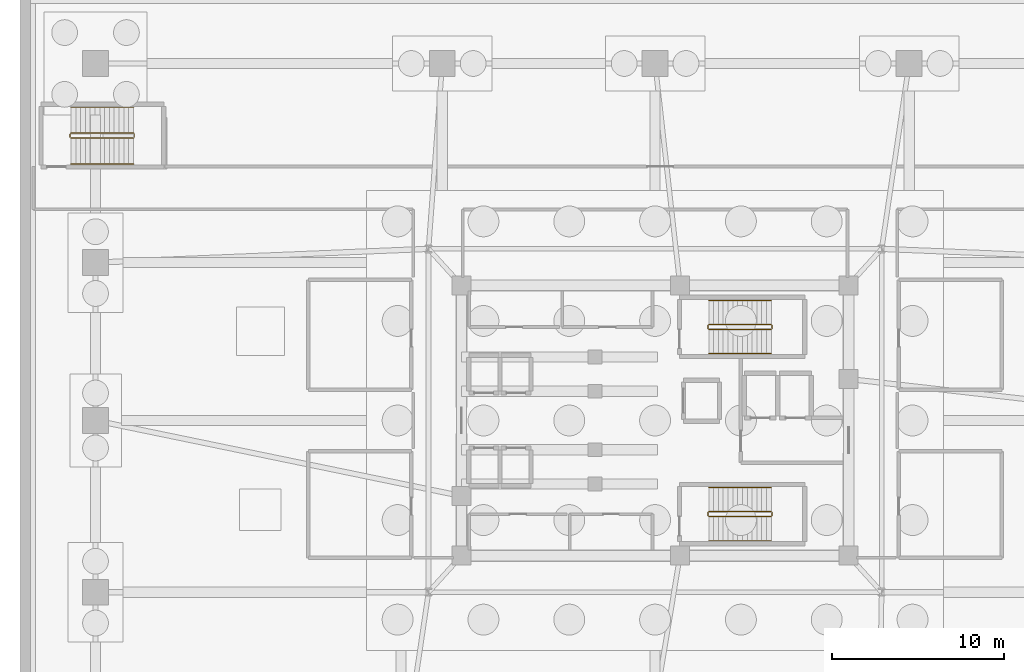
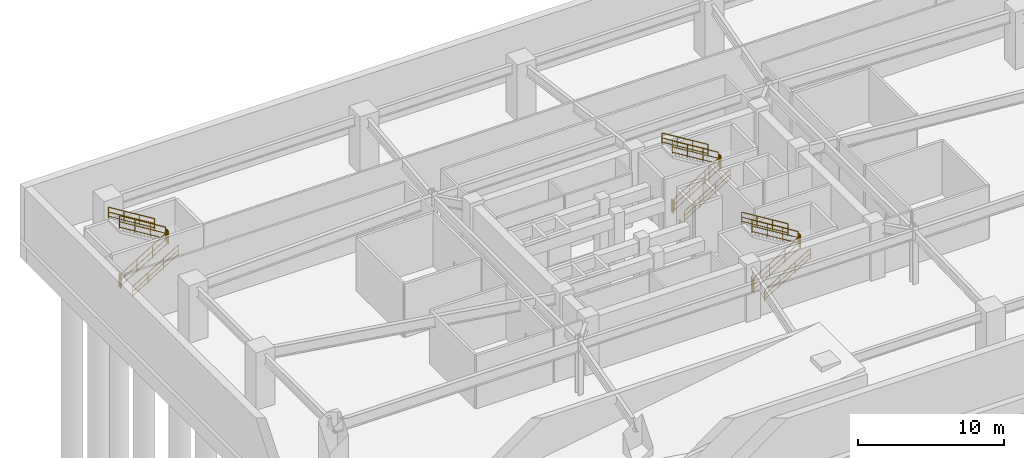
# One storey, part 7 of 8: 18 railings.
"""IFC4 building model written with IfcOpenShell, lengths in metres."""

from ifc_helpers import new_model, si_unit, direction, frame, origin, origin_2d, place, context, subcontext, project, spatial, rectangle, extrude, material, type_object, element, save


model = new_model("IFC4")

# Units and contexts
model_context = context("Model", 3, precision=1e-05, world=origin(), true_north=direction((0.0, 1.0)))
body_context = subcontext(model_context, "Body", "Model", "MODEL_VIEW")
ifc_project = project(units=[si_unit("LENGTHUNIT", "METRE"), si_unit("AREAUNIT", "SQUARE_METRE"), si_unit("VOLUMEUNIT", "CUBIC_METRE"), si_unit("PLANEANGLEUNIT", "RADIAN"), si_unit("MASSUNIT", "GRAM", prefix="KILO")], contexts=[model_context])

# Site, building, storey
site_placement = place(None, origin())
site = spatial("IfcSite", under=ifc_project, at=site_placement, CompositionType="ELEMENT")
building_placement = place(site_placement, origin())
building = spatial("IfcBuilding", under=site, at=building_placement, Name="Zulverin Broadcast Headquarters", CompositionType="ELEMENT")
storey_placement = place(building_placement, frame((0.0, 0.0, -9.60009765625)))
storey = spatial("IfcBuildingStorey", under=building, at=storey_placement, Name="B2", CompositionType="ELEMENT", Elevation=-9.60009765625)

# Railings
ifc_material_1 = material(Name="Painted galvanized steel tubular guardrail S355JR", Category="steel")
railing_type_1 = type_object("IfcRailingType", Name="RL-ST-GUARD", PredefinedType="GUARDRAIL", material=ifc_material_1)
railing_1_placement = place(storey_placement, frame((40.1298828125, 30.5, 0.171630859375)))
element("IfcRailing", 1, at=railing_1_placement, inside=storey, type_object=railing_type_1, Name="B2 ST-1 stair guard 1", PredefinedType="GUARDRAIL", context=body_context, shape_type="SweptSolid", body=[
    extrude(rectangle(XDim=0.048095703125, YDim=0.048095703125, at=origin_2d()), frame((0.0, 0.0, 1.076171875), z_axis=(0.852865859571, 0.0, 0.52213008492), x_axis=(0.0, 1.0, 0.0)), (0.0, 0.0, 1.0), 4.26806640625),
    extrude(rectangle(XDim=0.0419921875, YDim=0.0419921875, at=origin_2d()), frame((0.0, 0.0, 0.572021484375), z_axis=(0.852865859571, 0.0, 0.52213008492), x_axis=(0.0, 1.0, 0.0)), (0.0, 0.0, 1.0), 4.26806640625),
    extrude(rectangle(XDim=0.0419921875, YDim=0.0419921875, at=origin_2d()), frame((0.0, 0.0, 0.1201171875), z_axis=(0.852865859571, 0.0, 0.52213008492), x_axis=(0.0, 1.0, 0.0)), (0.0, 0.0, 1.0), 4.26806640625),
    extrude(rectangle(XDim=0.0419921875, YDim=0.0419921875, at=origin_2d()), origin(), (0.0, 0.0, 1.0), 1.052001953125),
    extrude(rectangle(XDim=0.0419921875, YDim=0.0419921875, at=origin_2d()), frame((1.21337890625, 0.0, 0.742919921875)), (0.0, 0.0, 1.0), 1.052001953125),
    extrude(rectangle(XDim=0.0419921875, YDim=0.0419921875, at=origin_2d()), frame((2.4267578125, 0.0, 1.485595703125)), (0.0, 0.0, 1.0), 1.052001953125),
    extrude(rectangle(XDim=0.0419921875, YDim=0.0419921875, at=origin_2d()), frame((3.64013671875, 0.0, 2.228515625)), (0.0, 0.0, 1.0), 1.052001953125),
])
railing_2_placement = place(storey_placement, frame((43.820068359375, 30.550048828125, 2.400146484375)))
element("IfcRailing", 2, at=railing_2_placement, inside=storey, type_object=railing_type_1, Name="B2 ST-1 stair guard 2", PredefinedType="GUARDRAIL", context=body_context, shape_type="SweptSolid", body=[
    extrude(rectangle(XDim=0.048095703125, YDim=0.048095703125, at=origin_2d()), frame((0.0, 0.0, 1.076171875), z_axis=(0.0, 1.0, 0.0), x_axis=(-1.0, 0.0, 0.0)), (0.0, 0.0, 1.0), 0.199951171875),
    extrude(rectangle(XDim=0.0419921875, YDim=0.0419921875, at=origin_2d()), frame((0.0, 0.0, 0.572021484375), z_axis=(0.0, 1.0, 0.0), x_axis=(-1.0, 0.0, 0.0)), (0.0, 0.0, 1.0), 0.199951171875),
    extrude(rectangle(XDim=0.0419921875, YDim=0.0419921875, at=origin_2d()), frame((0.0, 0.0, 0.1201171875), z_axis=(0.0, 1.0, 0.0), x_axis=(-1.0, 0.0, 0.0)), (0.0, 0.0, 1.0), 0.199951171875),
    extrude(rectangle(XDim=0.0419921875, YDim=0.0419921875, at=origin_2d()), origin(), (0.0, 0.0, 1.0), 1.052001953125),
    extrude(rectangle(XDim=0.0419921875, YDim=0.0419921875, at=origin_2d()), frame((0.0, 0.199951171875, 0.0)), (0.0, 0.0, 1.0), 1.052001953125),
])
railing_3_placement = place(storey_placement, frame((43.77001953125, 30.800048828125, 2.571533203125)))
element("IfcRailing", 3, at=railing_3_placement, inside=storey, type_object=railing_type_1, Name="B2 ST-1 stair guard 3", PredefinedType="GUARDRAIL", context=body_context, shape_type="SweptSolid", body=[
    extrude(rectangle(XDim=0.048095703125, YDim=0.048095703125, at=origin_2d()), frame((0.0, 0.0, 1.076171875), z_axis=(-0.852865859571, 0.0, 0.52213008492), x_axis=(0.0, -1.0, 0.0)), (0.0, 0.0, 1.0), 4.26806640625),
    extrude(rectangle(XDim=0.0419921875, YDim=0.0419921875, at=origin_2d()), frame((0.0, 0.0, 0.572021484375), z_axis=(-0.852865859571, 0.0, 0.52213008492), x_axis=(0.0, -1.0, 0.0)), (0.0, 0.0, 1.0), 4.26806640625),
    extrude(rectangle(XDim=0.0419921875, YDim=0.0419921875, at=origin_2d()), frame((0.0, 0.0, 0.1201171875), z_axis=(-0.852865859571, 0.0, 0.52213008492), x_axis=(0.0, -1.0, 0.0)), (0.0, 0.0, 1.0), 4.26806640625),
    extrude(rectangle(XDim=0.0419921875, YDim=0.0419921875, at=origin_2d()), origin(), (0.0, 0.0, 1.0), 1.052001953125),
    extrude(rectangle(XDim=0.0419921875, YDim=0.0419921875, at=origin_2d()), frame((-1.21337890625, 0.0, 0.742919921875)), (0.0, 0.0, 1.0), 1.052001953125),
    extrude(rectangle(XDim=0.0419921875, YDim=0.0419921875, at=origin_2d()), frame((-2.4267578125, 0.0, 1.485595703125)), (0.0, 0.0, 1.0), 1.052001953125),
    extrude(rectangle(XDim=0.0419921875, YDim=0.0419921875, at=origin_2d()), frame((-3.64013671875, 0.0, 2.228515625)), (0.0, 0.0, 1.0), 1.052001953125),
])
railing_4_placement = place(storey_placement, frame((40.080078125, 30.550048828125, 0.0)))
element("IfcRailing", 4, at=railing_4_placement, inside=storey, type_object=railing_type_1, Name="B2 ST-1 stair guard 4", PredefinedType="GUARDRAIL", context=body_context, shape_type="SweptSolid", body=[
    extrude(rectangle(XDim=0.048095703125, YDim=0.048095703125, at=origin_2d()), frame((0.0, 0.0, 1.076171875), z_axis=(0.0, 1.0, 0.0), x_axis=(-1.0, 0.0, 0.0)), (0.0, 0.0, 1.0), 0.199951171875),
    extrude(rectangle(XDim=0.0419921875, YDim=0.0419921875, at=origin_2d()), frame((0.0, 0.0, 0.572021484375), z_axis=(0.0, 1.0, 0.0), x_axis=(-1.0, 0.0, 0.0)), (0.0, 0.0, 1.0), 0.199951171875),
    extrude(rectangle(XDim=0.0419921875, YDim=0.0419921875, at=origin_2d()), frame((0.0, 0.0, 0.1201171875), z_axis=(0.0, 1.0, 0.0), x_axis=(-1.0, 0.0, 0.0)), (0.0, 0.0, 1.0), 0.199951171875),
    extrude(rectangle(XDim=0.0419921875, YDim=0.0419921875, at=origin_2d()), origin(), (0.0, 0.0, 1.0), 1.052001953125),
    extrude(rectangle(XDim=0.0419921875, YDim=0.0419921875, at=origin_2d()), frame((0.0, 0.199951171875, 0.0)), (0.0, 0.0, 1.0), 1.052001953125),
])
railing_5_placement = place(storey_placement, frame((40.1298828125, 19.60009765625, 0.171630859375)))
element("IfcRailing", 5, at=railing_5_placement, inside=storey, type_object=railing_type_1, Name="B2 ST-2 stair guard 1", PredefinedType="GUARDRAIL", context=body_context, shape_type="SweptSolid", body=[
    extrude(rectangle(XDim=0.048095703125, YDim=0.048095703125, at=origin_2d()), frame((0.0, 0.0, 1.076171875), z_axis=(0.852865859571, 0.0, 0.52213008492), x_axis=(0.0, 1.0, 0.0)), (0.0, 0.0, 1.0), 4.26806640625),
    extrude(rectangle(XDim=0.0419921875, YDim=0.0419921875, at=origin_2d()), frame((0.0, 0.0, 0.572021484375), z_axis=(0.852865859571, 0.0, 0.52213008492), x_axis=(0.0, 1.0, 0.0)), (0.0, 0.0, 1.0), 4.26806640625),
    extrude(rectangle(XDim=0.0419921875, YDim=0.0419921875, at=origin_2d()), frame((0.0, 0.0, 0.1201171875), z_axis=(0.852865859571, 0.0, 0.52213008492), x_axis=(0.0, 1.0, 0.0)), (0.0, 0.0, 1.0), 4.26806640625),
    extrude(rectangle(XDim=0.0419921875, YDim=0.0419921875, at=origin_2d()), origin(), (0.0, 0.0, 1.0), 1.052001953125),
    extrude(rectangle(XDim=0.0419921875, YDim=0.0419921875, at=origin_2d()), frame((1.21337890625, 0.0, 0.742919921875)), (0.0, 0.0, 1.0), 1.052001953125),
    extrude(rectangle(XDim=0.0419921875, YDim=0.0419921875, at=origin_2d()), frame((2.4267578125, 0.0, 1.485595703125)), (0.0, 0.0, 1.0), 1.052001953125),
    extrude(rectangle(XDim=0.0419921875, YDim=0.0419921875, at=origin_2d()), frame((3.64013671875, 0.0, 2.228515625)), (0.0, 0.0, 1.0), 1.052001953125),
])
railing_6_placement = place(storey_placement, frame((43.820068359375, 19.64990234375, 2.400146484375)))
element("IfcRailing", 6, at=railing_6_placement, inside=storey, type_object=railing_type_1, Name="B2 ST-2 stair guard 2", PredefinedType="GUARDRAIL", context=body_context, shape_type="SweptSolid", body=[
    extrude(rectangle(XDim=0.048095703125, YDim=0.048095703125, at=origin_2d()), frame((0.0, 0.0, 1.076171875), z_axis=(0.0, 1.0, 0.0), x_axis=(-1.0, 0.0, 0.0)), (0.0, 0.0, 1.0), 0.2001953125),
    extrude(rectangle(XDim=0.0419921875, YDim=0.0419921875, at=origin_2d()), frame((0.0, 0.0, 0.572021484375), z_axis=(0.0, 1.0, 0.0), x_axis=(-1.0, 0.0, 0.0)), (0.0, 0.0, 1.0), 0.2001953125),
    extrude(rectangle(XDim=0.0419921875, YDim=0.0419921875, at=origin_2d()), frame((0.0, 0.0, 0.1201171875), z_axis=(0.0, 1.0, 0.0), x_axis=(-1.0, 0.0, 0.0)), (0.0, 0.0, 1.0), 0.2001953125),
    extrude(rectangle(XDim=0.0419921875, YDim=0.0419921875, at=origin_2d()), origin(), (0.0, 0.0, 1.0), 1.052001953125),
    extrude(rectangle(XDim=0.0419921875, YDim=0.0419921875, at=origin_2d()), frame((0.0, 0.2001953125, 0.0)), (0.0, 0.0, 1.0), 1.052001953125),
])
railing_7_placement = place(storey_placement, frame((43.77001953125, 19.89990234375, 2.571533203125)))
element("IfcRailing", 7, at=railing_7_placement, inside=storey, type_object=railing_type_1, Name="B2 ST-2 stair guard 3", PredefinedType="GUARDRAIL", context=body_context, shape_type="SweptSolid", body=[
    extrude(rectangle(XDim=0.048095703125, YDim=0.048095703125, at=origin_2d()), frame((0.0, 0.0, 1.076171875), z_axis=(-0.852865859571, 0.0, 0.52213008492), x_axis=(0.0, -1.0, 0.0)), (0.0, 0.0, 1.0), 4.26806640625),
    extrude(rectangle(XDim=0.0419921875, YDim=0.0419921875, at=origin_2d()), frame((0.0, 0.0, 0.572021484375), z_axis=(-0.852865859571, 0.0, 0.52213008492), x_axis=(0.0, -1.0, 0.0)), (0.0, 0.0, 1.0), 4.26806640625),
    extrude(rectangle(XDim=0.0419921875, YDim=0.0419921875, at=origin_2d()), frame((0.0, 0.0, 0.1201171875), z_axis=(-0.852865859571, 0.0, 0.52213008492), x_axis=(0.0, -1.0, 0.0)), (0.0, 0.0, 1.0), 4.26806640625),
    extrude(rectangle(XDim=0.0419921875, YDim=0.0419921875, at=origin_2d()), origin(), (0.0, 0.0, 1.0), 1.052001953125),
    extrude(rectangle(XDim=0.0419921875, YDim=0.0419921875, at=origin_2d()), frame((-1.21337890625, 0.0, 0.742919921875)), (0.0, 0.0, 1.0), 1.052001953125),
    extrude(rectangle(XDim=0.0419921875, YDim=0.0419921875, at=origin_2d()), frame((-2.4267578125, 0.0, 1.485595703125)), (0.0, 0.0, 1.0), 1.052001953125),
    extrude(rectangle(XDim=0.0419921875, YDim=0.0419921875, at=origin_2d()), frame((-3.64013671875, 0.0, 2.228515625)), (0.0, 0.0, 1.0), 1.052001953125),
])
railing_8_placement = place(storey_placement, frame((40.080078125, 19.64990234375, 0.0)))
element("IfcRailing", 8, at=railing_8_placement, inside=storey, type_object=railing_type_1, Name="B2 ST-2 stair guard 4", PredefinedType="GUARDRAIL", context=body_context, shape_type="SweptSolid", body=[
    extrude(rectangle(XDim=0.048095703125, YDim=0.048095703125, at=origin_2d()), frame((0.0, 0.0, 1.076171875), z_axis=(0.0, 1.0, 0.0), x_axis=(-1.0, 0.0, 0.0)), (0.0, 0.0, 1.0), 0.2001953125),
    extrude(rectangle(XDim=0.0419921875, YDim=0.0419921875, at=origin_2d()), frame((0.0, 0.0, 0.572021484375), z_axis=(0.0, 1.0, 0.0), x_axis=(-1.0, 0.0, 0.0)), (0.0, 0.0, 1.0), 0.2001953125),
    extrude(rectangle(XDim=0.0419921875, YDim=0.0419921875, at=origin_2d()), frame((0.0, 0.0, 0.1201171875), z_axis=(0.0, 1.0, 0.0), x_axis=(-1.0, 0.0, 0.0)), (0.0, 0.0, 1.0), 0.2001953125),
    extrude(rectangle(XDim=0.0419921875, YDim=0.0419921875, at=origin_2d()), origin(), (0.0, 0.0, 1.0), 1.052001953125),
    extrude(rectangle(XDim=0.0419921875, YDim=0.0419921875, at=origin_2d()), frame((0.0, 0.2001953125, 0.0)), (0.0, 0.0, 1.0), 1.052001953125),
])
railing_9_placement = place(storey_placement, frame((2.969970703125, 41.64990234375, 0.171630859375)))
element("IfcRailing", 9, at=railing_9_placement, inside=storey, type_object=railing_type_1, Name="B2 ST-3 stair guard 1", PredefinedType="GUARDRAIL", context=body_context, shape_type="SweptSolid", body=[
    extrude(rectangle(XDim=0.048095703125, YDim=0.048095703125, at=origin_2d()), frame((0.0, 0.0, 1.076171875), z_axis=(0.852865859571, 0.0, 0.52213008492), x_axis=(0.0, 1.0, 0.0)), (0.0, 0.0, 1.0), 4.26806640625),
    extrude(rectangle(XDim=0.0419921875, YDim=0.0419921875, at=origin_2d()), frame((0.0, 0.0, 0.572021484375), z_axis=(0.852865859571, 0.0, 0.52213008492), x_axis=(0.0, 1.0, 0.0)), (0.0, 0.0, 1.0), 4.26806640625),
    extrude(rectangle(XDim=0.0419921875, YDim=0.0419921875, at=origin_2d()), frame((0.0, 0.0, 0.1201171875), z_axis=(0.852865859571, 0.0, 0.52213008492), x_axis=(0.0, 1.0, 0.0)), (0.0, 0.0, 1.0), 4.26806640625),
    extrude(rectangle(XDim=0.0419921875, YDim=0.0419921875, at=origin_2d()), origin(), (0.0, 0.0, 1.0), 1.052001953125),
    extrude(rectangle(XDim=0.0419921875, YDim=0.0419921875, at=origin_2d()), frame((1.21337890625, 0.0, 0.742919921875)), (0.0, 0.0, 1.0), 1.052001953125),
    extrude(rectangle(XDim=0.0419921875, YDim=0.0419921875, at=origin_2d()), frame((2.4267578125, 0.0, 1.485595703125)), (0.0, 0.0, 1.0), 1.052001953125),
    extrude(rectangle(XDim=0.0419921875, YDim=0.0419921875, at=origin_2d()), frame((3.64013671875, 0.0, 2.228515625)), (0.0, 0.0, 1.0), 1.052001953125),
])
railing_10_placement = place(storey_placement, frame((6.659912109375, 41.699951171875, 2.400146484375)))
element("IfcRailing", 10, at=railing_10_placement, inside=storey, type_object=railing_type_1, Name="B2 ST-3 stair guard 2", PredefinedType="GUARDRAIL", context=body_context, shape_type="SweptSolid", body=[
    extrude(rectangle(XDim=0.048095703125, YDim=0.048095703125, at=origin_2d()), frame((0.0, 0.0, 1.076171875), z_axis=(0.0, 1.0, 0.0), x_axis=(-1.0, 0.0, 0.0)), (0.0, 0.0, 1.0), 0.199951171875),
    extrude(rectangle(XDim=0.0419921875, YDim=0.0419921875, at=origin_2d()), frame((0.0, 0.0, 0.572021484375), z_axis=(0.0, 1.0, 0.0), x_axis=(-1.0, 0.0, 0.0)), (0.0, 0.0, 1.0), 0.199951171875),
    extrude(rectangle(XDim=0.0419921875, YDim=0.0419921875, at=origin_2d()), frame((0.0, 0.0, 0.1201171875), z_axis=(0.0, 1.0, 0.0), x_axis=(-1.0, 0.0, 0.0)), (0.0, 0.0, 1.0), 0.199951171875),
    extrude(rectangle(XDim=0.0419921875, YDim=0.0419921875, at=origin_2d()), origin(), (0.0, 0.0, 1.0), 1.052001953125),
    extrude(rectangle(XDim=0.0419921875, YDim=0.0419921875, at=origin_2d()), frame((0.0, 0.199951171875, 0.0)), (0.0, 0.0, 1.0), 1.052001953125),
])
railing_11_placement = place(storey_placement, frame((6.610107421875, 41.949951171875, 2.571533203125)))
element("IfcRailing", 11, at=railing_11_placement, inside=storey, type_object=railing_type_1, Name="B2 ST-3 stair guard 3", PredefinedType="GUARDRAIL", context=body_context, shape_type="SweptSolid", body=[
    extrude(rectangle(XDim=0.048095703125, YDim=0.048095703125, at=origin_2d()), frame((0.0, 0.0, 1.076171875), z_axis=(-0.852865859571, 0.0, 0.52213008492), x_axis=(0.0, -1.0, 0.0)), (0.0, 0.0, 1.0), 4.26806640625),
    extrude(rectangle(XDim=0.0419921875, YDim=0.0419921875, at=origin_2d()), frame((0.0, 0.0, 0.572021484375), z_axis=(-0.852865859571, 0.0, 0.52213008492), x_axis=(0.0, -1.0, 0.0)), (0.0, 0.0, 1.0), 4.26806640625),
    extrude(rectangle(XDim=0.0419921875, YDim=0.0419921875, at=origin_2d()), frame((0.0, 0.0, 0.1201171875), z_axis=(-0.852865859571, 0.0, 0.52213008492), x_axis=(0.0, -1.0, 0.0)), (0.0, 0.0, 1.0), 4.26806640625),
    extrude(rectangle(XDim=0.0419921875, YDim=0.0419921875, at=origin_2d()), origin(), (0.0, 0.0, 1.0), 1.052001953125),
    extrude(rectangle(XDim=0.0419921875, YDim=0.0419921875, at=origin_2d()), frame((-1.21337890625, 0.0, 0.742919921875)), (0.0, 0.0, 1.0), 1.052001953125),
    extrude(rectangle(XDim=0.0419921875, YDim=0.0419921875, at=origin_2d()), frame((-2.4267578125, 0.0, 1.485595703125)), (0.0, 0.0, 1.0), 1.052001953125),
    extrude(rectangle(XDim=0.0419921875, YDim=0.0419921875, at=origin_2d()), frame((-3.64013671875, 0.0, 2.228515625)), (0.0, 0.0, 1.0), 1.052001953125),
])
railing_12_placement = place(storey_placement, frame((2.919921875, 41.699951171875, 0.0)))
element("IfcRailing", 12, at=railing_12_placement, inside=storey, type_object=railing_type_1, Name="B2 ST-3 stair guard 4", PredefinedType="GUARDRAIL", context=body_context, shape_type="SweptSolid", body=[
    extrude(rectangle(XDim=0.048095703125, YDim=0.048095703125, at=origin_2d()), frame((0.0, 0.0, 1.076171875), z_axis=(0.0, 1.0, 0.0), x_axis=(-1.0, 0.0, 0.0)), (0.0, 0.0, 1.0), 0.199951171875),
    extrude(rectangle(XDim=0.0419921875, YDim=0.0419921875, at=origin_2d()), frame((0.0, 0.0, 0.572021484375), z_axis=(0.0, 1.0, 0.0), x_axis=(-1.0, 0.0, 0.0)), (0.0, 0.0, 1.0), 0.199951171875),
    extrude(rectangle(XDim=0.0419921875, YDim=0.0419921875, at=origin_2d()), frame((0.0, 0.0, 0.1201171875), z_axis=(0.0, 1.0, 0.0), x_axis=(-1.0, 0.0, 0.0)), (0.0, 0.0, 1.0), 0.199951171875),
    extrude(rectangle(XDim=0.0419921875, YDim=0.0419921875, at=origin_2d()), origin(), (0.0, 0.0, 1.0), 1.052001953125),
    extrude(rectangle(XDim=0.0419921875, YDim=0.0419921875, at=origin_2d()), frame((0.0, 0.199951171875, 0.0)), (0.0, 0.0, 1.0), 1.052001953125),
])
ifc_material_2 = material(Name="Brushed stainless steel 48 mm handrail", Category="steel")
railing_type_2 = type_object("IfcRailingType", Name="RL-ST-HAND", PredefinedType="HANDRAIL", material=ifc_material_2)
railing_13_placement = place(storey_placement, frame((40.1298828125, 29.10009765625, 0.171630859375)))
element("IfcRailing", 13, at=railing_13_placement, inside=storey, type_object=railing_type_2, Name="B2 ST-1 stair handrail 1", PredefinedType="HANDRAIL", context=body_context, shape_type="SweptSolid", body=[
    extrude(rectangle(XDim=0.048095703125, YDim=0.048095703125, at=origin_2d()), frame((0.0, 0.0, 0.8759765625), z_axis=(0.852865859571, 0.0, 0.52213008492), x_axis=(0.0, 1.0, 0.0)), (0.0, 0.0, 1.0), 4.26806640625),
    extrude(rectangle(XDim=0.0419921875, YDim=0.0419921875, at=origin_2d()), frame((0.0, 0.0, 0.468017578125), z_axis=(0.852865859571, 0.0, 0.52213008492), x_axis=(0.0, 1.0, 0.0)), (0.0, 0.0, 1.0), 4.26806640625),
    extrude(rectangle(XDim=0.0419921875, YDim=0.0419921875, at=origin_2d()), frame((0.0, 0.0, 0.1201171875), z_axis=(0.852865859571, 0.0, 0.52213008492), x_axis=(0.0, 1.0, 0.0)), (0.0, 0.0, 1.0), 4.26806640625),
    extrude(rectangle(XDim=0.0419921875, YDim=0.0419921875, at=origin_2d()), origin(), (0.0, 0.0, 1.0), 0.851806640625),
    extrude(rectangle(XDim=0.0419921875, YDim=0.0419921875, at=origin_2d()), frame((1.21337890625, 0.0, 0.742919921875)), (0.0, 0.0, 1.0), 0.851806640625),
    extrude(rectangle(XDim=0.0419921875, YDim=0.0419921875, at=origin_2d()), frame((2.4267578125, 0.0, 1.485595703125)), (0.0, 0.0, 1.0), 0.851806640625),
    extrude(rectangle(XDim=0.0419921875, YDim=0.0419921875, at=origin_2d()), frame((3.64013671875, 0.0, 2.228515625)), (0.0, 0.0, 1.0), 0.851806640625),
])
railing_14_placement = place(storey_placement, frame((43.77001953125, 32.199951171875, 2.571533203125)))
element("IfcRailing", 14, at=railing_14_placement, inside=storey, type_object=railing_type_2, Name="B2 ST-1 stair handrail 2", PredefinedType="HANDRAIL", context=body_context, shape_type="SweptSolid", body=[
    extrude(rectangle(XDim=0.048095703125, YDim=0.048095703125, at=origin_2d()), frame((0.0, 0.0, 0.8759765625), z_axis=(-0.852865859571, 0.0, 0.52213008492), x_axis=(0.0, -1.0, 0.0)), (0.0, 0.0, 1.0), 4.26806640625),
    extrude(rectangle(XDim=0.0419921875, YDim=0.0419921875, at=origin_2d()), frame((0.0, 0.0, 0.468017578125), z_axis=(-0.852865859571, 0.0, 0.52213008492), x_axis=(0.0, -1.0, 0.0)), (0.0, 0.0, 1.0), 4.26806640625),
    extrude(rectangle(XDim=0.0419921875, YDim=0.0419921875, at=origin_2d()), frame((0.0, 0.0, 0.1201171875), z_axis=(-0.852865859571, 0.0, 0.52213008492), x_axis=(0.0, -1.0, 0.0)), (0.0, 0.0, 1.0), 4.26806640625),
    extrude(rectangle(XDim=0.0419921875, YDim=0.0419921875, at=origin_2d()), origin(), (0.0, 0.0, 1.0), 0.851806640625),
    extrude(rectangle(XDim=0.0419921875, YDim=0.0419921875, at=origin_2d()), frame((-1.21337890625, 0.0, 0.742919921875)), (0.0, 0.0, 1.0), 0.851806640625),
    extrude(rectangle(XDim=0.0419921875, YDim=0.0419921875, at=origin_2d()), frame((-2.4267578125, 0.0, 1.485595703125)), (0.0, 0.0, 1.0), 0.851806640625),
    extrude(rectangle(XDim=0.0419921875, YDim=0.0419921875, at=origin_2d()), frame((-3.64013671875, 0.0, 2.228515625)), (0.0, 0.0, 1.0), 0.851806640625),
])
railing_15_placement = place(storey_placement, frame((40.1298828125, 18.199951171875, 0.171630859375)))
element("IfcRailing", 15, at=railing_15_placement, inside=storey, type_object=railing_type_2, Name="B2 ST-2 stair handrail 1", PredefinedType="HANDRAIL", context=body_context, shape_type="SweptSolid", body=[
    extrude(rectangle(XDim=0.048095703125, YDim=0.048095703125, at=origin_2d()), frame((0.0, 0.0, 0.8759765625), z_axis=(0.852865859571, 0.0, 0.52213008492), x_axis=(0.0, 1.0, 0.0)), (0.0, 0.0, 1.0), 4.26806640625),
    extrude(rectangle(XDim=0.0419921875, YDim=0.0419921875, at=origin_2d()), frame((0.0, 0.0, 0.468017578125), z_axis=(0.852865859571, 0.0, 0.52213008492), x_axis=(0.0, 1.0, 0.0)), (0.0, 0.0, 1.0), 4.26806640625),
    extrude(rectangle(XDim=0.0419921875, YDim=0.0419921875, at=origin_2d()), frame((0.0, 0.0, 0.1201171875), z_axis=(0.852865859571, 0.0, 0.52213008492), x_axis=(0.0, 1.0, 0.0)), (0.0, 0.0, 1.0), 4.26806640625),
    extrude(rectangle(XDim=0.0419921875, YDim=0.0419921875, at=origin_2d()), origin(), (0.0, 0.0, 1.0), 0.851806640625),
    extrude(rectangle(XDim=0.0419921875, YDim=0.0419921875, at=origin_2d()), frame((1.21337890625, 0.0, 0.742919921875)), (0.0, 0.0, 1.0), 0.851806640625),
    extrude(rectangle(XDim=0.0419921875, YDim=0.0419921875, at=origin_2d()), frame((2.4267578125, 0.0, 1.485595703125)), (0.0, 0.0, 1.0), 0.851806640625),
    extrude(rectangle(XDim=0.0419921875, YDim=0.0419921875, at=origin_2d()), frame((3.64013671875, 0.0, 2.228515625)), (0.0, 0.0, 1.0), 0.851806640625),
])
railing_16_placement = place(storey_placement, frame((43.77001953125, 21.300048828125, 2.571533203125)))
element("IfcRailing", 16, at=railing_16_placement, inside=storey, type_object=railing_type_2, Name="B2 ST-2 stair handrail 2", PredefinedType="HANDRAIL", context=body_context, shape_type="SweptSolid", body=[
    extrude(rectangle(XDim=0.048095703125, YDim=0.048095703125, at=origin_2d()), frame((0.0, 0.0, 0.8759765625), z_axis=(-0.852865859571, 0.0, 0.52213008492), x_axis=(0.0, -1.0, 0.0)), (0.0, 0.0, 1.0), 4.26806640625),
    extrude(rectangle(XDim=0.0419921875, YDim=0.0419921875, at=origin_2d()), frame((0.0, 0.0, 0.468017578125), z_axis=(-0.852865859571, 0.0, 0.52213008492), x_axis=(0.0, -1.0, 0.0)), (0.0, 0.0, 1.0), 4.26806640625),
    extrude(rectangle(XDim=0.0419921875, YDim=0.0419921875, at=origin_2d()), frame((0.0, 0.0, 0.1201171875), z_axis=(-0.852865859571, 0.0, 0.52213008492), x_axis=(0.0, -1.0, 0.0)), (0.0, 0.0, 1.0), 4.26806640625),
    extrude(rectangle(XDim=0.0419921875, YDim=0.0419921875, at=origin_2d()), origin(), (0.0, 0.0, 1.0), 0.851806640625),
    extrude(rectangle(XDim=0.0419921875, YDim=0.0419921875, at=origin_2d()), frame((-1.21337890625, 0.0, 0.742919921875)), (0.0, 0.0, 1.0), 0.851806640625),
    extrude(rectangle(XDim=0.0419921875, YDim=0.0419921875, at=origin_2d()), frame((-2.4267578125, 0.0, 1.485595703125)), (0.0, 0.0, 1.0), 0.851806640625),
    extrude(rectangle(XDim=0.0419921875, YDim=0.0419921875, at=origin_2d()), frame((-3.64013671875, 0.0, 2.228515625)), (0.0, 0.0, 1.0), 0.851806640625),
])
railing_17_placement = place(storey_placement, frame((2.969970703125, 40.14990234375, 0.171630859375)))
element("IfcRailing", 17, at=railing_17_placement, inside=storey, type_object=railing_type_2, Name="B2 ST-3 stair handrail 1", PredefinedType="HANDRAIL", context=body_context, shape_type="SweptSolid", body=[
    extrude(rectangle(XDim=0.048095703125, YDim=0.048095703125, at=origin_2d()), frame((0.0, 0.0, 0.8759765625), z_axis=(0.852865859571, 0.0, 0.52213008492), x_axis=(0.0, 1.0, 0.0)), (0.0, 0.0, 1.0), 4.26806640625),
    extrude(rectangle(XDim=0.0419921875, YDim=0.0419921875, at=origin_2d()), frame((0.0, 0.0, 0.468017578125), z_axis=(0.852865859571, 0.0, 0.52213008492), x_axis=(0.0, 1.0, 0.0)), (0.0, 0.0, 1.0), 4.26806640625),
    extrude(rectangle(XDim=0.0419921875, YDim=0.0419921875, at=origin_2d()), frame((0.0, 0.0, 0.1201171875), z_axis=(0.852865859571, 0.0, 0.52213008492), x_axis=(0.0, 1.0, 0.0)), (0.0, 0.0, 1.0), 4.26806640625),
    extrude(rectangle(XDim=0.0419921875, YDim=0.0419921875, at=origin_2d()), origin(), (0.0, 0.0, 1.0), 0.851806640625),
    extrude(rectangle(XDim=0.0419921875, YDim=0.0419921875, at=origin_2d()), frame((1.21337890625, 0.0, 0.742919921875)), (0.0, 0.0, 1.0), 0.851806640625),
    extrude(rectangle(XDim=0.0419921875, YDim=0.0419921875, at=origin_2d()), frame((2.4267578125, 0.0, 1.485595703125)), (0.0, 0.0, 1.0), 0.851806640625),
    extrude(rectangle(XDim=0.0419921875, YDim=0.0419921875, at=origin_2d()), frame((3.64013671875, 0.0, 2.228515625)), (0.0, 0.0, 1.0), 0.851806640625),
])
railing_18_placement = place(storey_placement, frame((6.610107421875, 43.449951171875, 2.571533203125)))
element("IfcRailing", 18, at=railing_18_placement, inside=storey, type_object=railing_type_2, Name="B2 ST-3 stair handrail 2", PredefinedType="HANDRAIL", context=body_context, shape_type="SweptSolid", body=[
    extrude(rectangle(XDim=0.048095703125, YDim=0.048095703125, at=origin_2d()), frame((0.0, 0.0, 0.8759765625), z_axis=(-0.852865859571, 0.0, 0.52213008492), x_axis=(0.0, -1.0, 0.0)), (0.0, 0.0, 1.0), 4.26806640625),
    extrude(rectangle(XDim=0.0419921875, YDim=0.0419921875, at=origin_2d()), frame((0.0, 0.0, 0.468017578125), z_axis=(-0.852865859571, 0.0, 0.52213008492), x_axis=(0.0, -1.0, 0.0)), (0.0, 0.0, 1.0), 4.26806640625),
    extrude(rectangle(XDim=0.0419921875, YDim=0.0419921875, at=origin_2d()), frame((0.0, 0.0, 0.1201171875), z_axis=(-0.852865859571, 0.0, 0.52213008492), x_axis=(0.0, -1.0, 0.0)), (0.0, 0.0, 1.0), 4.26806640625),
    extrude(rectangle(XDim=0.0419921875, YDim=0.0419921875, at=origin_2d()), origin(), (0.0, 0.0, 1.0), 0.851806640625),
    extrude(rectangle(XDim=0.0419921875, YDim=0.0419921875, at=origin_2d()), frame((-1.21337890625, 0.0, 0.742919921875)), (0.0, 0.0, 1.0), 0.851806640625),
    extrude(rectangle(XDim=0.0419921875, YDim=0.0419921875, at=origin_2d()), frame((-2.4267578125, 0.0, 1.485595703125)), (0.0, 0.0, 1.0), 0.851806640625),
    extrude(rectangle(XDim=0.0419921875, YDim=0.0419921875, at=origin_2d()), frame((-3.64013671875, 0.0, 2.228515625)), (0.0, 0.0, 1.0), 0.851806640625),
])

save(model, "model.ifc")
